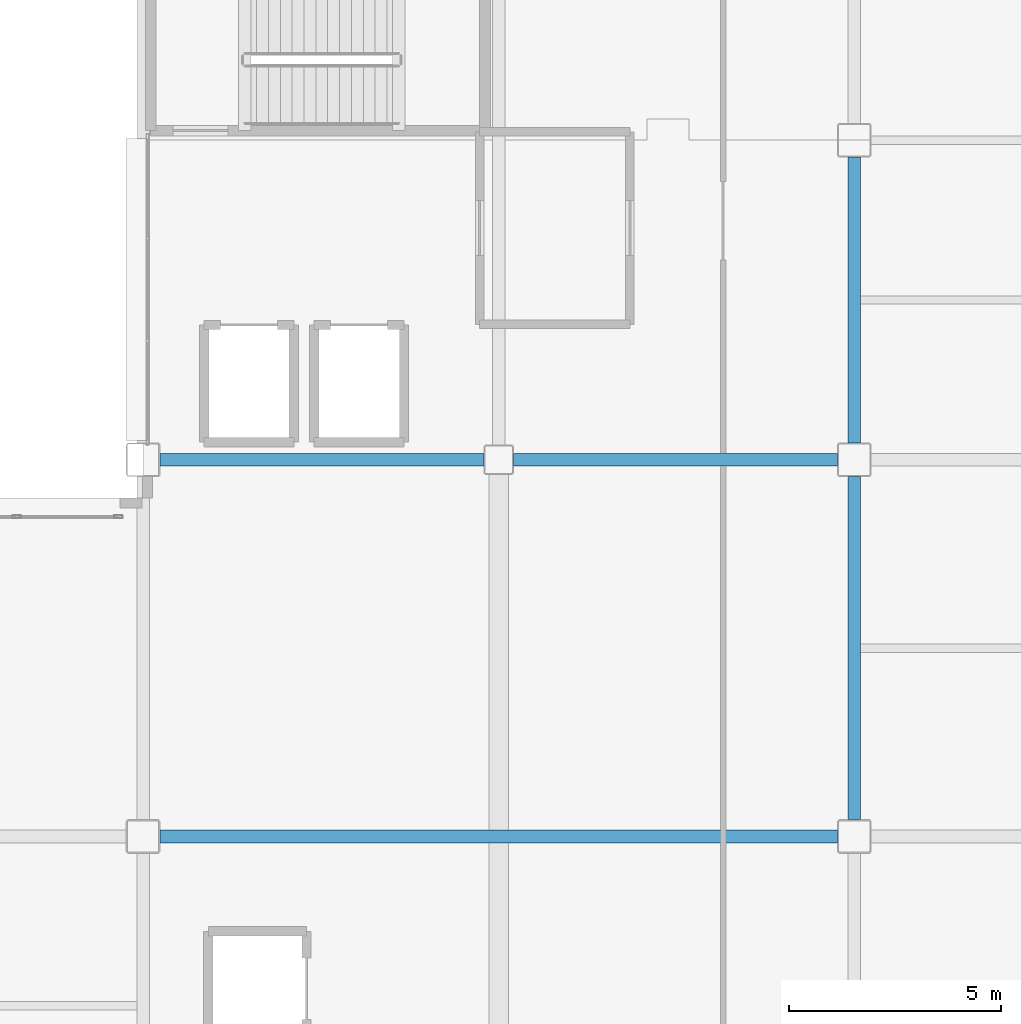
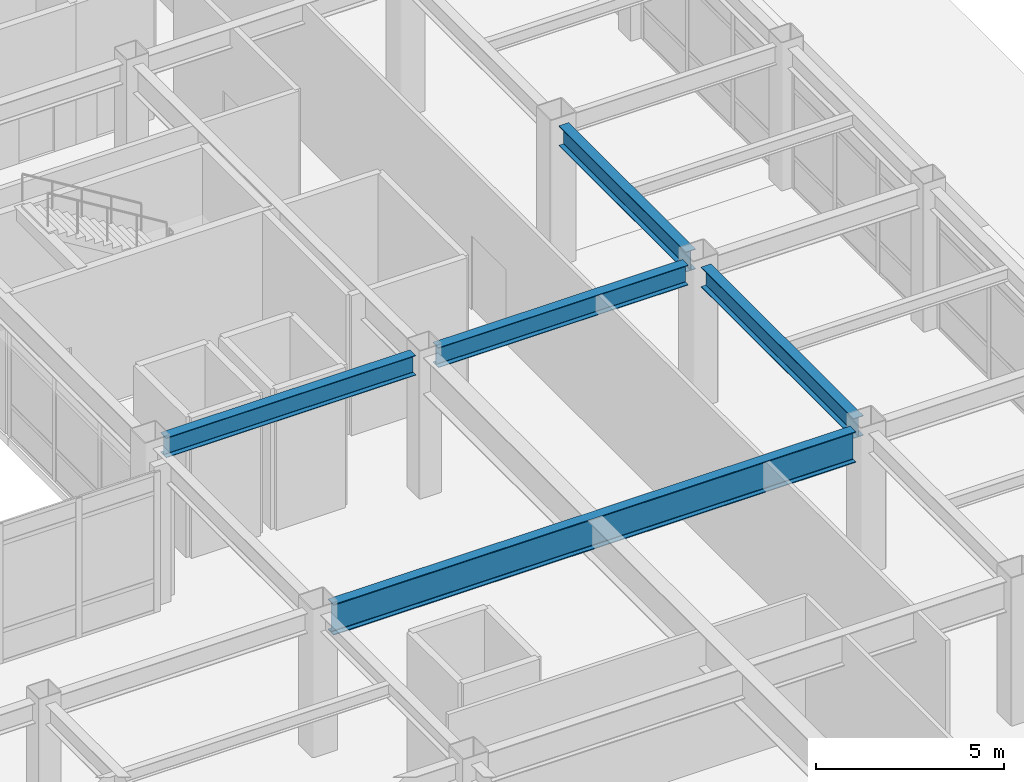
# One storey, part 103 of 172: 5 beams.
"""IFC4 building model written with IfcOpenShell, lengths in metres."""

from ifc_helpers import new_model, si_unit, direction, frame, origin, origin_2d, place, context, subcontext, project, spatial, i_section, extrude, material, material_profile, profile_set, type_object, element, save


model = new_model("IFC4")

# Units and contexts
model_context = context("Model", 3, precision=1e-05, world=origin(), true_north=direction((0.0, 1.0)))
body_context = subcontext(model_context, "Body", "Model", "MODEL_VIEW")
ifc_project = project(units=[si_unit("LENGTHUNIT", "METRE"), si_unit("AREAUNIT", "SQUARE_METRE"), si_unit("VOLUMEUNIT", "CUBIC_METRE"), si_unit("PLANEANGLEUNIT", "RADIAN"), si_unit("MASSUNIT", "GRAM", prefix="KILO")], contexts=[model_context])

# Site, building, storey
site_placement = place(None, origin())
site = spatial("IfcSite", under=ifc_project, at=site_placement, CompositionType="ELEMENT")
building_placement = place(site_placement, origin())
building = spatial("IfcBuilding", under=site, at=building_placement, Name="Kazehara Bluff Congress Hotel", CompositionType="ELEMENT")
storey_placement = place(building_placement, frame((0.0, 0.0, 5.39990234375)))
storey = spatial("IfcBuildingStorey", under=building, at=storey_placement, Name="L01", CompositionType="ELEMENT", Elevation=5.39990234375)

# Beams
ifc_material_1 = material(Name="Steel SN490B", Category="steel")
ifc_material_profile_1 = material_profile(ifc_material_1, i_section(OverallWidth=0.300048828125, OverallDepth=0.64990234375, WebThickness=0.011962890625, FlangeThickness=0.02001953125, FilletRadius=0.012939453125, at=origin_2d()))
ifc_profile_set_1 = profile_set([ifc_material_profile_1], Name="Steel SN490B")
beam_type_1 = type_object("IfcBeamType", Name="TP-G-03", PredefinedType="BEAM", material=ifc_profile_set_1)
beam_1_placement = place(storey_placement, frame((160.5, 32.39990234375, 4.22509765625), z_axis=(0.0, 1.0, 0.0), x_axis=(-1.0, 0.0, 0.0)))
element("IfcBeam", 1, at=beam_1_placement, inside=storey, type_object=beam_type_1, Name="L01 girder G-03 252", PredefinedType="BEAM", context=body_context, shape_type="SweptSolid", body=[
    extrude(i_section(OverallWidth=0.300048828125, OverallDepth=0.64990234375, WebThickness=0.011962890625, FlangeThickness=0.02001953125, FilletRadius=0.012939453125, at=origin_2d()), origin(), (0.0, 0.0, 1.0), 8.10009765625),
])
beam_2_placement = place(storey_placement, frame((160.5, 41.300048828125, 4.22509765625), z_axis=(0.0, 1.0, 0.0), x_axis=(-1.0, 0.0, 0.0)))
element("IfcBeam", 2, at=beam_2_placement, inside=storey, type_object=beam_type_1, Name="L01 girder G-03 253", PredefinedType="BEAM", context=body_context, shape_type="SweptSolid", body=[
    extrude(i_section(OverallWidth=0.300048828125, OverallDepth=0.64990234375, WebThickness=0.011962890625, FlangeThickness=0.02001953125, FilletRadius=0.012939453125, at=origin_2d()), origin(), (0.0, 0.0, 1.0), 6.75),
])
beam_3_placement = place(storey_placement, frame((144.10009765625, 40.89990234375, 4.22509765625), z_axis=(1.0, 0.0, 0.0), x_axis=(0.0, 1.0, 0.0)))
element("IfcBeam", 3, at=beam_3_placement, inside=storey, type_object=beam_type_1, Name="L01 girder G-03 296", PredefinedType="BEAM", context=body_context, shape_type="SweptSolid", body=[
    extrude(i_section(OverallWidth=0.300048828125, OverallDepth=0.64990234375, WebThickness=0.011962890625, FlangeThickness=0.02001953125, FilletRadius=0.012939453125, at=origin_2d()), origin(), (0.0, 0.0, 1.0), 7.64990234375),
])
beam_4_placement = place(storey_placement, frame((152.449951171875, 40.89990234375, 4.22509765625), z_axis=(1.0, 0.0, 0.0), x_axis=(0.0, 1.0, 0.0)))
element("IfcBeam", 4, at=beam_4_placement, inside=storey, type_object=beam_type_1, Name="L01 girder G-03 297", PredefinedType="BEAM", context=body_context, shape_type="SweptSolid", body=[
    extrude(i_section(OverallWidth=0.300048828125, OverallDepth=0.64990234375, WebThickness=0.011962890625, FlangeThickness=0.02001953125, FilletRadius=0.012939453125, at=origin_2d()), origin(), (0.0, 0.0, 1.0), 7.650146484375),
])
ifc_material_2 = material(Name="Steel SN490B", Category="steel")
ifc_material_profile_2 = material_profile(ifc_material_2, i_section(OverallWidth=0.300048828125, OverallDepth=1.0, WebThickness=0.01611328125, FlangeThickness=0.028076171875, FilletRadius=0.02197265625, at=origin_2d()))
ifc_profile_set_2 = profile_set([ifc_material_profile_2], Name="Steel SN490B")
beam_type_2 = type_object("IfcBeamType", Name="TP-G-09", PredefinedType="BEAM", material=ifc_profile_set_2)
beam_5_placement = place(storey_placement, frame((144.10009765625, 32.0, 4.050048828125), z_axis=(1.0, 0.0, 0.0), x_axis=(0.0, 1.0, 0.0)))
element("IfcBeam", 5, at=beam_5_placement, inside=storey, type_object=beam_type_2, Name="L01 girder G-09 294", PredefinedType="BEAM", context=body_context, shape_type="SweptSolid", body=[
    extrude(i_section(OverallWidth=0.300048828125, OverallDepth=1.0, WebThickness=0.01611328125, FlangeThickness=0.028076171875, FilletRadius=0.02197265625, at=origin_2d()), origin(), (0.0, 0.0, 1.0), 16.0),
])

save(model, "model.ifc")
